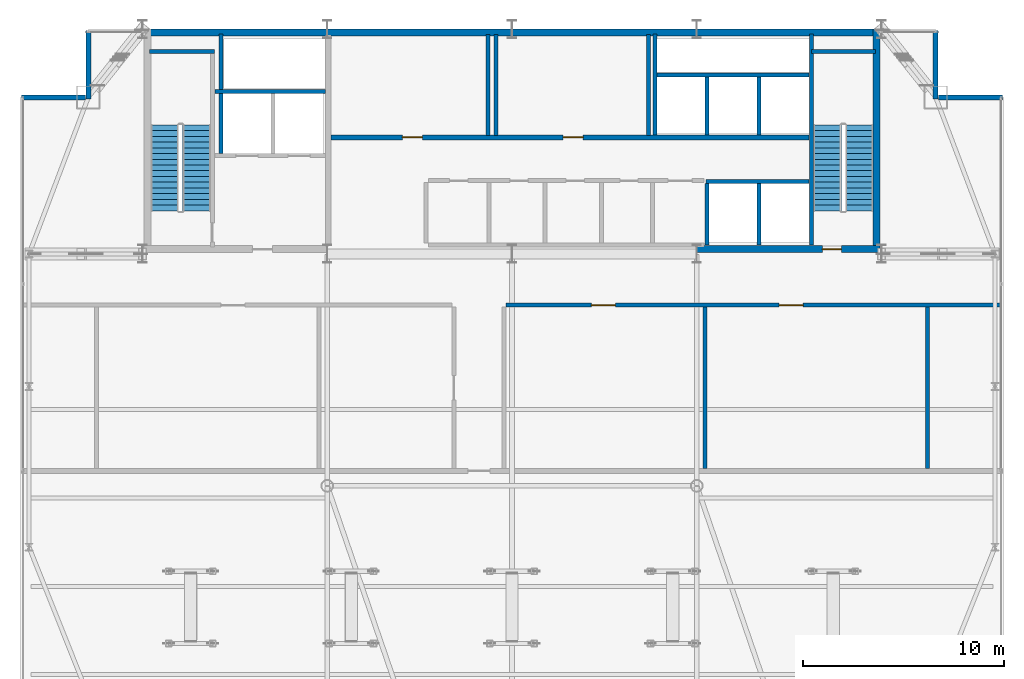
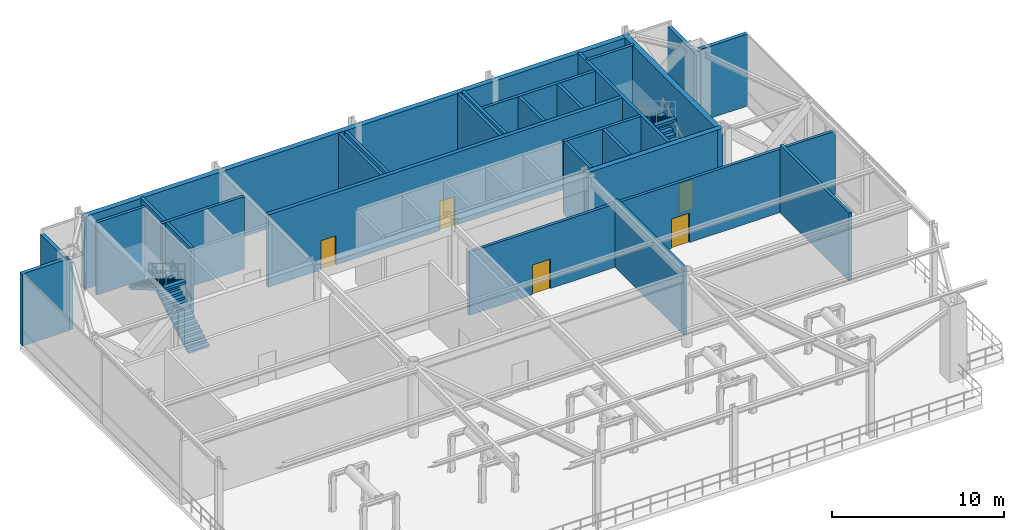
# One storey, part 19 of 21: 26 walls, 5 doors, 4 stair flights, 5 openings, 2 elements without a shape of their own.
"""IFC4 building model written with IfcOpenShell, lengths in metres."""

from ifc_helpers import new_model, si_unit, direction, frame, frame_2d, origin, place, context, subcontext, project, spatial, polyline, rectangle, outline, extrude, source, transform, mapped, material, layer, layer_set, type_object, type_shapes, element, fill, aggregate, save


model = new_model("IFC4")

# Units and contexts
model_context = context("Model", 3, precision=1e-05, world=origin(), true_north=direction((0.0, 1.0)))
body_context = subcontext(model_context, "Body", "Model", "MODEL_VIEW")
ifc_project = project(units=[si_unit("LENGTHUNIT", "METRE"), si_unit("AREAUNIT", "SQUARE_METRE"), si_unit("VOLUMEUNIT", "CUBIC_METRE"), si_unit("PLANEANGLEUNIT", "RADIAN"), si_unit("MASSUNIT", "GRAM", prefix="KILO")], contexts=[model_context])

# Site, building, storey
site_placement = place(None, origin())
site = spatial("IfcSite", under=ifc_project, at=site_placement, CompositionType="ELEMENT")
building_placement = place(site_placement, origin())
building = spatial("IfcBuilding", under=site, at=building_placement, Name="Varnel Quay Broadcast Tower", CompositionType="ELEMENT")
storey_placement = place(building_placement, frame((0.0, 0.0, 234.0)))
storey = spatial("IfcBuildingStorey", under=building, at=storey_placement, Name="L58", CompositionType="ELEMENT", Elevation=234.0)

# Walls
ifc_material_1 = material(Name="Concrete CSA A23.3 C50/60", Category="concrete")
ifc_layer_1 = layer(ifc_material_1, 0.199951171875, Name="Concrete CSA A23.3 C50/60")
ifc_layer_set_1 = layer_set([ifc_layer_1], Name="Concrete CSA A23.3 C50/60")
wall_type_1 = type_object("IfcWallType", Name="Wall_CoreShaftShear200", PredefinedType="SHEAR", material=ifc_layer_set_1)
wall_1_placement = place(storey_placement, frame((15.949951171875, 45.679931640625, 0.0), z_axis=(0.0, 0.0, 1.0), x_axis=(1.0, 0.0, 0.0)))
element("IfcWall", 1, at=wall_1_placement, inside=storey, type_object=wall_type_1, Name="L58 Stair 1 North Structural Wall", PredefinedType="SHEAR", context=body_context, shape_type="SweptSolid", body=[
    extrude(rectangle(XDim=3.22998046875, YDim=0.199951171875, at=frame_2d((1.614990234375, 0.0))), origin(), (0.0, 0.0, 1.0), 5.14990234375),
])
wall_2_placement = place(storey_placement, frame((19.199951171875, 43.699951171875, 0.0), z_axis=(0.0, 0.0, 1.0), x_axis=(1.0, 0.0, 0.0)))
element("IfcWall", 2, at=wall_2_placement, inside=storey, type_object=wall_type_1, Name="L58 Firefighter Lift Shaft Rear Wall", PredefinedType="SHEAR", context=body_context, shape_type="SweptSolid", body=[
    extrude(rectangle(XDim=5.52001953125, YDim=0.199951171875, at=frame_2d((2.760009765625, 0.0))), origin(), (0.0, 0.0, 1.0), 5.14990234375),
])
wall_3_placement = place(storey_placement, frame((19.5, 40.60009765625, 0.0), z_axis=(0.0, 0.0, 1.0), x_axis=(0.0, 1.0, 0.0)))
element("IfcWall", 3, at=wall_3_placement, inside=storey, type_object=wall_type_1, Name="L58 Firefighter Lift Shaft West Wall", PredefinedType="SHEAR", context=body_context, shape_type="SweptSolid", body=[
    extrude(rectangle(XDim=5.949951171875, YDim=0.199951171875, at=frame_2d((2.97509765625, 0.0))), origin(), (0.0, 0.0, 1.0), 5.14990234375),
])
wall_4_placement = place(storey_placement, frame((48.919921875, 36.050048828125, 0.0), z_axis=(0.0, 0.0, 1.0), x_axis=(0.0, 1.0, 0.0)))
element("IfcWall", 4, at=wall_4_placement, inside=storey, type_object=wall_type_1, Name="L58 Stair 2 West Structural Wall", PredefinedType="SHEAR", context=body_context, shape_type="SweptSolid", body=[
    extrude(rectangle(XDim=10.5, YDim=0.199951171875, at=frame_2d((5.25, 0.0))), origin(), (0.0, 0.0, 1.0), 5.14990234375),
])
wall_5_placement = place(storey_placement, frame((48.919921875, 45.679931640625, 0.0), z_axis=(0.0, 0.0, 1.0), x_axis=(1.0, 0.0, 0.0)))
element("IfcWall", 5, at=wall_5_placement, inside=storey, type_object=wall_type_1, Name="L58 Stair 2 North Structural Wall", PredefinedType="SHEAR", context=body_context, shape_type="SweptSolid", body=[
    extrude(rectangle(XDim=3.18017578125, YDim=0.199951171875, at=frame_2d((1.590087890625, 0.0))), origin(), (0.0, 0.0, 1.0), 5.14990234375),
])
wall_6_placement = place(storey_placement, frame((41.219970703125, 44.5, 0.0), z_axis=(0.0, 0.0, 1.0), x_axis=(1.0, 0.0, 0.0)))
element("IfcWall", 6, at=wall_6_placement, inside=storey, type_object=wall_type_1, Name="L58 High-Rise Lift Shaft Rear Wall", PredefinedType="SHEAR", context=body_context, shape_type="SweptSolid", body=[
    extrude(rectangle(XDim=7.580078125, YDim=0.199951171875, at=frame_2d((3.7900390625, 0.0))), origin(), (0.0, 0.0, 1.0), 5.14990234375),
])
wall_7_placement = place(storey_placement, frame((41.1201171875, 41.530029296875, 0.0), z_axis=(0.0, 0.0, 1.0), x_axis=(0.0, 1.0, 0.0)))
element("IfcWall", 7, at=wall_7_placement, inside=storey, type_object=wall_type_1, Name="L58 High-Rise Lift Shaft Divider 1", PredefinedType="SHEAR", context=body_context, shape_type="SweptSolid", body=[
    extrude(rectangle(XDim=5.02001953125, YDim=0.199951171875, at=frame_2d((2.510009765625, 0.0))), origin(), (0.0, 0.0, 1.0), 5.14990234375),
])
for number, where, z_axis, x_axis, name in (
    (8, (43.699951171875, 41.530029296875, 0.0), (0.0, 0.0, 1.0), (0.0, 1.0, 0.0), "L58 High-Rise Lift Shaft Divider 2"),
    (9, (46.300048828125, 41.530029296875, 0.0), (0.0, 0.0, 1.0), (0.0, 1.0, 0.0), "L58 High-Rise Lift Shaft Divider 3"),
):
    element("IfcWall", number, at=place(storey_placement, frame(where, z_axis=z_axis, x_axis=x_axis)), inside=storey, type_object=wall_type_1, Name=name, PredefinedType="SHEAR", context=body_context, shape_type="SweptSolid", body=[
        extrude(rectangle(XDim=2.869873046875, YDim=0.199951171875, at=frame_2d((1.43505859375, 0.0))), origin(), (0.0, 0.0, 1.0), 5.14990234375),
    ])
for number, where, z_axis, x_axis, name in (
    (10, (43.699951171875, 36.050048828125, 0.0), (0.0, 0.0, 1.0), (0.0, 1.0, 0.0), "L58 Express Lift Shaft West Wall"),
    (11, (46.300048828125, 36.050048828125, 0.0), (0.0, 0.0, 1.0), (0.0, 1.0, 0.0), "L58 Express Lift Shaft Divider"),
):
    element("IfcWall", number, at=place(storey_placement, frame(where, z_axis=z_axis, x_axis=x_axis)), inside=storey, type_object=wall_type_1, Name=name, PredefinedType="SHEAR", context=body_context, shape_type="SweptSolid", body=[
        extrude(rectangle(XDim=3.050048828125, YDim=0.199951171875, at=frame_2d((1.52490234375, 0.0))), origin(), (0.0, 0.0, 1.0), 5.14990234375),
    ])
wall_8_placement = place(storey_placement, frame((43.64990234375, 39.199951171875, 0.0), z_axis=(0.0, 0.0, 1.0), x_axis=(1.0, 0.0, 0.0)))
element("IfcWall", 12, at=wall_8_placement, inside=storey, type_object=wall_type_1, Name="L58 Express Lift Shaft North Front Wall", PredefinedType="SHEAR", context=body_context, shape_type="SweptSolid", body=[
    extrude(rectangle(XDim=5.150146484375, YDim=0.199951171875, at=frame_2d((2.5751953125, 0.0))), origin(), (0.0, 0.0, 1.0), 5.14990234375),
])

# Wall, openings, doors
ifc_layer_2 = layer(ifc_material_1, 0.25, Name="Concrete CSA A23.3 C50/60")
ifc_layer_set_2 = layer_set([ifc_layer_2], Name="Concrete CSA A23.3 C50/60")
wall_type_2 = type_object("IfcWallType", Name="Wall_CoreShaftShear250", PredefinedType="SHEAR", material=ifc_layer_set_2)
wall_9_placement = place(storey_placement, frame((24.97998046875, 41.39990234375, 0.0), z_axis=(0.0, 0.0, 1.0), x_axis=(1.0, 0.0, 0.0)))
wall_9 = element("IfcWall", 13, at=wall_9_placement, inside=storey, type_object=wall_type_2, Name="L58 North Lift Bank & Reclaimed Suite Wall", PredefinedType="SHEAR", context=body_context, shape_type="SweptSolid", body=[
    extrude(rectangle(XDim=23.820068359375, YDim=0.25, at=frame_2d((11.91015625, 0.0))), origin(), (0.0, 0.0, 1.0), 5.14990234375),
])
opening_1_placement = place(wall_9_placement, frame((3.56005859375, 0.0, 0.0)))
opening_1 = element("IfcOpeningElement", 14, at=opening_1_placement, cuts=wall_9, Name="Opening D-L58-RECA1", PredefinedType="OPENING", context=body_context, shape_type="SweptSolid", body=[
    extrude(rectangle(XDim=1.0, YDim=2.080078125, at=frame_2d((0.5, 1.0400390625))), frame((0.0, 0.135009765625, 0.0), z_axis=(0.0, -1.0, 0.0), x_axis=(1.0, 0.0, 0.0)), (0.0, 0.0, 1.0), 0.27001953125),
])
opening_2_placement = place(wall_9_placement, frame((11.56005859375, 0.0, 0.0)))
opening_2 = element("IfcOpeningElement", 15, at=opening_2_placement, cuts=wall_9, Name="Opening D-L58-RECB1", PredefinedType="OPENING", context=body_context, shape_type="SweptSolid", body=[
    extrude(rectangle(XDim=1.0, YDim=2.080078125, at=frame_2d((0.5, 1.0400390625))), frame((0.0, 0.135009765625, 0.0), z_axis=(0.0, -1.0, 0.0), x_axis=(1.0, 0.0, 0.0)), (0.0, 0.0, 1.0), 0.27001953125),
])
ifc_material_2 = material(Name="Insulated Fire-Rated Hollow Steel Door", Category="steel")
door_type_1 = type_object("IfcDoorType", Name="Door_FireLobby1000", OperationType="NOTDEFINED", PredefinedType="DOOR", material=ifc_material_2)
shared_shape_1 = source(origin(), body_context, "Body", "SweptSolid", [
    extrude(rectangle(XDim=1.0, YDim=2.080078125, at=frame_2d((0.5, 1.0400390625))), frame((0.0, 0.02490234375, 0.0), z_axis=(0.0, -1.0, 0.0), x_axis=(1.0, 0.0, 0.0)), (0.0, 0.0, 1.0), 0.050048828125),
])
type_shapes(door_type_1, [shared_shape_1])
door_1_placement = place(opening_1_placement, origin())
door_1 = element("IfcDoor", 16, at=door_1_placement, inside=storey, type_object=door_type_1, Name="L58 L58 Mechanical Exhaust Plenum A Door", OperationType="SINGLE_SWING_LEFT", OverallHeight=2.080078125, OverallWidth=1.0, PredefinedType="DOOR", context=body_context, shape_type="MappedRepresentation", body=[
    mapped(shared_shape_1, transform((0.0, 0.0, 0.0), x_axis=(1.0, 0.0, 0.0), y_axis=(0.0, 1.0, 0.0), z_axis=(0.0, 0.0, 1.0), scale=1.0)),
])
fill(opening_1, door_1)
door_2_placement = place(opening_2_placement, origin())
door_2 = element("IfcDoor", 17, at=door_2_placement, inside=storey, type_object=door_type_1, Name="L58 L58 Mechanical Supply Plenum B Door", OperationType="SINGLE_SWING_RIGHT", OverallHeight=2.080078125, OverallWidth=1.0, PredefinedType="DOOR", context=body_context, shape_type="MappedRepresentation", body=[
    mapped(shared_shape_1, transform((0.0, 0.0, 0.0), x_axis=(1.0, 0.0, 0.0), y_axis=(0.0, 1.0, 0.0), z_axis=(0.0, 0.0, 1.0), scale=1.0)),
])
fill(opening_2, door_2)

# Walls
ifc_layer_3 = layer(ifc_material_1, 0.35009765625, Name="Concrete CSA A23.3 C50/60")
ifc_layer_set_3 = layer_set([ifc_layer_3], Name="Concrete CSA A23.3 C50/60")
wall_type_3 = type_object("IfcWallType", Name="Wall_CoreShearExt350", PredefinedType="SHEAR", material=ifc_layer_set_3)
wall_10_placement = place(storey_placement, frame((15.60009765625, 46.625, 0.0), z_axis=(0.0, 0.0, 1.0), x_axis=(1.0, 0.0, 0.0)))
element("IfcWall", 18, at=wall_10_placement, inside=storey, type_object=wall_type_3, Name="L58 North Core Shear Wall", PredefinedType="SHEAR", context=body_context, shape_type="SweptSolid", body=[
    extrude(rectangle(XDim=36.7998046875, YDim=0.35009765625, at=frame_2d((18.39990234375, 0.0))), origin(), (0.0, 0.0, 1.0), 5.14990234375),
])
ifc_layer_4 = layer(ifc_material_1, 0.35009765625, Name="Concrete CSA A23.3 C50/60")
ifc_layer_set_4 = layer_set([ifc_layer_4], Name="Concrete CSA A23.3 C50/60")
wall_type_4 = type_object("IfcWallType", Name="Wall_CoreShearInt350", PredefinedType="SHEAR", material=ifc_layer_set_4)
wall_11_placement = place(storey_placement, frame((52.155029296875, 35.669921875, 0.0), z_axis=(0.0, 0.0, 1.0), x_axis=(0.0, 1.0, 0.0)))
element("IfcWall", 19, at=wall_11_placement, inside=storey, type_object=wall_type_4, Name="L58 East Core Shear Wall", PredefinedType="SHEAR", context=body_context, shape_type="SweptSolid", body=[
    extrude(rectangle(XDim=11.130126953125, YDim=0.35009765625, at=frame_2d((5.56494140625, 0.0))), origin(), (0.0, 0.0, 1.0), 5.14990234375),
])

# Wall, opening, door
wall_12_placement = place(storey_placement, frame((43.199951171875, 35.844970703125, 0.0), z_axis=(0.0, 0.0, 1.0), x_axis=(1.0, 0.0, 0.0)))
wall_12 = element("IfcWall", 20, at=wall_12_placement, inside=storey, type_object=wall_type_4, Name="L58 South-East Core Shear Wall", PredefinedType="SHEAR", context=body_context, shape_type="SweptSolid", body=[
    extrude(rectangle(XDim=9.130126953125, YDim=0.35009765625, at=frame_2d((4.56494140625, 0.0))), origin(), (0.0, 0.0, 1.0), 5.14990234375),
])
opening_3_placement = place(wall_12_placement, frame((6.25, 0.0, 0.0)))
opening_3 = element("IfcOpeningElement", 21, at=opening_3_placement, cuts=wall_12, Name="Opening D-L58-S2", PredefinedType="OPENING", context=body_context, shape_type="SweptSolid", body=[
    extrude(rectangle(XDim=0.949951171875, YDim=2.10009765625, at=frame_2d((0.47509765625, 1.050048828125))), frame((0.0, 0.18505859375, 0.0), z_axis=(0.0, -1.0, 0.0), x_axis=(1.0, 0.0, 0.0)), (0.0, 0.0, 1.0), 0.3701171875),
])
door_type_2 = type_object("IfcDoorType", Name="Door_FireStair950", OperationType="NOTDEFINED", PredefinedType="DOOR", material=ifc_material_2)
shared_shape_2 = source(origin(), body_context, "Body", "SweptSolid", [
    extrude(rectangle(XDim=0.949951171875, YDim=2.10009765625, at=frame_2d((0.47509765625, 1.050048828125))), frame((0.0, 0.02490234375, 0.0), z_axis=(0.0, -1.0, 0.0), x_axis=(1.0, 0.0, 0.0)), (0.0, 0.0, 1.0), 0.050048828125),
])
type_shapes(door_type_2, [shared_shape_2])
door_3_placement = place(opening_3_placement, origin())
door_3 = element("IfcDoor", 22, at=door_3_placement, inside=storey, type_object=door_type_2, Name="L58 Stair 2 Fire Door", OperationType="SINGLE_SWING_RIGHT", OverallHeight=2.10009765625, OverallWidth=0.949951171875, PredefinedType="DOOR", context=body_context, shape_type="MappedRepresentation", body=[
    mapped(shared_shape_2, transform((0.0, 0.0, 0.0), x_axis=(1.0, 0.0, 0.0), y_axis=(0.0, 1.0, 0.0), z_axis=(0.0, 0.0, 1.0), scale=1.0)),
])
fill(opening_3, door_3)

# Walls
ifc_material_3 = material(Name="Precast Architectural Concrete C40/50", Category="concrete")
ifc_layer_5 = layer(ifc_material_3, 0.25, Name="Precast Architectural Concrete C40/50")
ifc_layer_set_5 = layer_set([ifc_layer_5], Name="Precast Architectural Concrete C40/50")
wall_type_5 = type_object("IfcWallType", Name="Wall_ExtTerrace250", PredefinedType="SOLIDWALL", material=ifc_layer_set_5)
wall_13_placement = place(storey_placement, frame((9.580078125, 43.39990234375, 0.0), z_axis=(0.0, 0.0, 1.0), x_axis=(1.0, 0.0, 0.0)))
element("IfcWall", 23, at=wall_13_placement, inside=storey, type_object=wall_type_5, Name="L58 North Corner Pier NNW1", PredefinedType="SOLIDWALL", context=body_context, shape_type="SweptSolid", body=[
    extrude(rectangle(XDim=3.18994140625, YDim=0.25, at=frame_2d((1.594970703125, 0.0))), origin(), (0.0, 0.0, 1.0), 5.1298828125),
])
wall_14_placement = place(storey_placement, frame((12.89990234375, 43.320068359375, 0.0), z_axis=(0.0, 0.0, 1.0), x_axis=(0.0, 1.0, 0.0)))
element("IfcWall", 24, at=wall_14_placement, inside=storey, type_object=wall_type_5, Name="L58 North Corner Pier NNW2", PredefinedType="SOLIDWALL", context=body_context, shape_type="SweptSolid", body=[
    extrude(rectangle(XDim=3.39990234375, YDim=0.25, at=frame_2d((1.699951171875, 0.0))), origin(), (0.0, 0.0, 1.0), 4.77099609375),
])
wall_15_placement = place(storey_placement, frame((55.22998046875, 43.39990234375, 0.0), z_axis=(0.0, 0.0, 1.0), x_axis=(1.0, 0.0, 0.0)))
element("IfcWall", 25, at=wall_15_placement, inside=storey, type_object=wall_type_5, Name="L58 North Corner Pier NNE1", PredefinedType="SOLIDWALL", context=body_context, shape_type="SweptSolid", body=[
    extrude(rectangle(XDim=3.18994140625, YDim=0.25, at=frame_2d((1.594970703125, 0.0))), origin(), (0.0, 0.0, 1.0), 5.1298828125),
])
wall_16_placement = place(storey_placement, frame((55.10009765625, 43.320068359375, 0.0), z_axis=(0.0, 0.0, 1.0), x_axis=(0.0, 1.0, 0.0)))
element("IfcWall", 26, at=wall_16_placement, inside=storey, type_object=wall_type_5, Name="L58 North Corner Pier NNE2", PredefinedType="SOLIDWALL", context=body_context, shape_type="SweptSolid", body=[
    extrude(rectangle(XDim=3.39990234375, YDim=0.25, at=frame_2d((1.699951171875, 0.0))), origin(), (0.0, 0.0, 1.0), 4.77099609375),
])
ifc_material_4 = material(Name="Concrete Blockwork Fire Enclosure C40/50", Category="masonry")
ifc_layer_6 = layer(ifc_material_4, 0.199951171875, Name="Concrete Blockwork Fire Enclosure C40/50")
ifc_layer_set_6 = layer_set([ifc_layer_6], Name="Concrete Blockwork Fire Enclosure C40/50")
wall_type_6 = type_object("IfcWallType", Name="Wall_FireShaft200", PredefinedType="SOLIDWALL", material=ifc_layer_set_6)
wall_17_placement = place(storey_placement, frame((54.699951171875, 24.925048828125, 0.0), z_axis=(0.0, 0.0, 1.0), x_axis=(0.0, 1.0, 0.0)))
element("IfcWall", 27, at=wall_17_placement, inside=storey, type_object=wall_type_6, Name="L58 L58 East Protected Refuge Area Partition 11", PredefinedType="SOLIDWALL", context=body_context, shape_type="SweptSolid", body=[
    extrude(rectangle(XDim=8.02490234375, YDim=0.199951171875, at=frame_2d((4.012451171875, 0.0))), origin(), (0.0, 0.0, 1.0), 4.822021484375),
])

# Wall, openings, doors
wall_18_placement = place(storey_placement, frame((33.699951171875, 33.050048828125, 0.0), z_axis=(0.0, 0.0, 1.0), x_axis=(1.0, 0.0, 0.0)))
wall_18 = element("IfcWall", 28, at=wall_18_placement, inside=storey, type_object=wall_type_6, Name="L58 L58 East Protected Refuge Area Partition 12", PredefinedType="SOLIDWALL", context=body_context, shape_type="SweptSolid", body=[
    extrude(rectangle(XDim=24.6201171875, YDim=0.199951171875, at=frame_2d((12.31005859375, 0.0))), origin(), (0.0, 0.0, 1.0), 4.508056640625),
])
opening_4_placement = place(wall_18_placement, frame((13.60009765625, 0.0, 0.0)))
opening_4 = element("IfcOpeningElement", 29, at=opening_4_placement, cuts=wall_18, Name="Opening D-L58-07", PredefinedType="OPENING", context=body_context, shape_type="SweptSolid", body=[
    extrude(rectangle(XDim=1.199951171875, YDim=2.10009765625, at=frame_2d((0.60009765625, 1.050048828125))), frame((0.0, 0.10986328125, 0.0), z_axis=(0.0, -1.0, 0.0), x_axis=(1.0, 0.0, 0.0)), (0.0, 0.0, 1.0), 0.219970703125),
])
opening_5_placement = place(wall_18_placement, frame((4.25, 0.0, 0.0)))
opening_5 = element("IfcOpeningElement", 30, at=opening_5_placement, cuts=wall_18, Name="Opening D-L58-08", PredefinedType="OPENING", context=body_context, shape_type="SweptSolid", body=[
    extrude(rectangle(XDim=1.199951171875, YDim=2.10009765625, at=frame_2d((0.60009765625, 1.050048828125))), frame((0.0, 0.10986328125, 0.0), z_axis=(0.0, -1.0, 0.0), x_axis=(1.0, 0.0, 0.0)), (0.0, 0.0, 1.0), 0.219970703125),
])
door_type_3 = type_object("IfcDoorType", Name="Door_Plant1200", OperationType="NOTDEFINED", PredefinedType="DOOR", material=ifc_material_2)
shared_shape_3 = source(origin(), body_context, "Body", "SweptSolid", [
    extrude(rectangle(XDim=1.199951171875, YDim=2.10009765625, at=frame_2d((0.60009765625, 1.050048828125))), frame((0.0, 0.02490234375, 0.0), z_axis=(0.0, -1.0, 0.0), x_axis=(1.0, 0.0, 0.0)), (0.0, 0.0, 1.0), 0.050048828125),
])
type_shapes(door_type_3, [shared_shape_3])
door_4_placement = place(opening_4_placement, origin())
door_4 = element("IfcDoor", 31, at=door_4_placement, inside=storey, type_object=door_type_3, Name="L58 L58 East Protected Refuge Area Door D-L58-07", OperationType="SINGLE_SWING_LEFT", OverallHeight=2.10009765625, OverallWidth=1.199951171875, PredefinedType="DOOR", context=body_context, shape_type="MappedRepresentation", body=[
    mapped(shared_shape_3, transform((0.0, 0.0, 0.0), x_axis=(1.0, 0.0, 0.0), y_axis=(0.0, 1.0, 0.0), z_axis=(0.0, 0.0, 1.0), scale=1.0)),
])
fill(opening_4, door_4)
door_5_placement = place(opening_5_placement, origin())
door_5 = element("IfcDoor", 32, at=door_5_placement, inside=storey, type_object=door_type_3, Name="L58 Wind-Turbine Power Conditioning Plant Room Door D-L58-08", OperationType="SINGLE_SWING_RIGHT", OverallHeight=2.10009765625, OverallWidth=1.199951171875, PredefinedType="DOOR", context=body_context, shape_type="MappedRepresentation", body=[
    mapped(shared_shape_3, transform((0.0, 0.0, 0.0), x_axis=(1.0, 0.0, 0.0), y_axis=(0.0, 1.0, 0.0), z_axis=(0.0, 0.0, 1.0), scale=1.0)),
])
fill(opening_5, door_5)

# Walls
wall_19_placement = place(storey_placement, frame((43.60009765625, 24.925048828125, 0.0), z_axis=(0.0, 0.0, 1.0), x_axis=(0.0, 1.0, 0.0)))
element("IfcWall", 33, at=wall_19_placement, inside=storey, type_object=wall_type_6, Name="L58 L58 East Protected Refuge Area Partition 13", PredefinedType="SOLIDWALL", context=body_context, shape_type="SweptSolid", body=[
    extrude(rectangle(XDim=8.02490234375, YDim=0.199951171875, at=frame_2d((4.012451171875, 0.0))), origin(), (0.0, 0.0, 1.0), 4.822021484375),
])
for number, where, z_axis, x_axis, name in (
    (34, (32.800048828125, 41.5, 0.0), (0.0, 0.0, 1.0), (0.0, 1.0, 0.0), "L58 L58 Mechanical Exhaust Plenum A Partition 16"),
    (35, (40.800048828125, 41.5, 0.0), (0.0, 0.0, 1.0), (0.0, 1.0, 0.0), "L58 L58 Mechanical Supply Plenum B Partition 17"),
    (36, (33.199951171875, 41.5, 0.0), (0.0, 0.0, 1.0), (0.0, 1.0, 0.0), "L58 L58 Mechanical Supply Plenum B Partition 18"),
):
    element("IfcWall", number, at=place(storey_placement, frame(where, z_axis=z_axis, x_axis=x_axis)), inside=storey, type_object=wall_type_6, Name=name, PredefinedType="SOLIDWALL", context=body_context, shape_type="SweptSolid", body=[
        extrude(rectangle(XDim=5.02001953125, YDim=0.199951171875, at=frame_2d((2.510009765625, 0.0))), origin(), (0.0, 0.0, 1.0), 5.1298828125),
    ])

# Stair, stair flights
ifc_material_5 = material(Name="Precast Structural Concrete C40/50", Category="concrete")
stair_type_1 = type_object("IfcStairType", Name="Stair_ST-01", PredefinedType="HALF_TURN_STAIR", material=ifc_material_5)
stair_1_placement = place(storey_placement, origin())
stair_1 = element("IfcStair", 37, at=stair_1_placement, inside=storey, type_object=stair_type_1, Name="L58 West Core Exit Stair 1", PredefinedType="HALF_TURN_STAIR")
stair_flight_type_1 = type_object("IfcStairFlightType", Name="Flight_ST-01", PredefinedType="STRAIGHT", material=ifc_material_5)
stair_flight_1_placement = place(storey_placement, frame((18.300048828125, 37.75, 0.0), z_axis=(0.0, 0.0, 1.0), x_axis=(0.0, 1.0, 0.0)))
stair_flight_1 = element("IfcStairFlight", 38, at=stair_flight_1_placement, type_object=stair_flight_type_1, Name="ST-01 flight 1", NumberOfRisers=16, NumberOfTreads=15, PredefinedType="STRAIGHT", RiserHeight=0.16875, TreadLength=0.285, context=body_context, shape_type="SweptSolid", body=[
    extrude(outline(polyline([(0.0, 0.0), (0.0, 0.168701171875), (0.284912109375, 0.168701171875), (0.284912109375, 0.33740234375), (0.570068359375, 0.33740234375), (0.570068359375, 0.50634765625), (0.85498046875, 0.50634765625), (0.85498046875, 0.675048828125), (1.139892578125, 0.675048828125), (1.139892578125, 0.84375), (1.425048828125, 0.84375), (1.425048828125, 1.012451171875), (1.7099609375, 1.012451171875), (1.7099609375, 1.18115234375), (1.9951171875, 1.18115234375), (1.9951171875, 1.35009765625), (2.280029296875, 1.35009765625), (2.280029296875, 1.518798828125), (2.56494140625, 1.518798828125), (2.56494140625, 1.6875), (2.85009765625, 1.6875), (2.85009765625, 1.856201171875), (3.135009765625, 1.856201171875), (3.135009765625, 2.02490234375), (3.419921875, 2.02490234375), (3.419921875, 2.19384765625), (3.705078125, 2.19384765625), (3.705078125, 2.362548828125), (3.989990234375, 2.362548828125), (3.989990234375, 2.53125), (4.27490234375, 2.53125), (4.27490234375, 2.699951171875), (4.27490234375, 2.35693359375), (0.294189453125, 0.0), (0.0, 0.0)])), frame((0.0, 0.699951171875, 0.0), z_axis=(0.0, -1.0, 0.0), x_axis=(1.0, 0.0, 0.0)), (0.0, 0.0, 1.0), 1.39990234375),
])
stair_flight_2_placement = place(storey_placement, frame((16.699951171875, 42.02490234375, 2.699951171875), z_axis=(0.0, 0.0, 1.0), x_axis=(0.0, -1.0, 0.0)))
stair_flight_2 = element("IfcStairFlight", 39, at=stair_flight_2_placement, type_object=stair_flight_type_1, Name="ST-01 flight 2", NumberOfRisers=16, NumberOfTreads=15, PredefinedType="STRAIGHT", RiserHeight=0.16875, TreadLength=0.285, context=body_context, shape_type="SweptSolid", body=[
    extrude(outline(polyline([(0.0, 0.0), (0.0, 0.168701171875), (0.284912109375, 0.168701171875), (0.284912109375, 0.33740234375), (0.570068359375, 0.33740234375), (0.570068359375, 0.50634765625), (0.85498046875, 0.50634765625), (0.85498046875, 0.675048828125), (1.139892578125, 0.675048828125), (1.139892578125, 0.84375), (1.425048828125, 0.84375), (1.425048828125, 1.012451171875), (1.7099609375, 1.012451171875), (1.7099609375, 1.18115234375), (1.9951171875, 1.18115234375), (1.9951171875, 1.35009765625), (2.280029296875, 1.35009765625), (2.280029296875, 1.518798828125), (2.56494140625, 1.518798828125), (2.56494140625, 1.6875), (2.85009765625, 1.6875), (2.85009765625, 1.856201171875), (3.135009765625, 1.856201171875), (3.135009765625, 2.02490234375), (3.419921875, 2.02490234375), (3.419921875, 2.19384765625), (3.705078125, 2.19384765625), (3.705078125, 2.362548828125), (3.989990234375, 2.362548828125), (3.989990234375, 2.53125), (4.27490234375, 2.53125), (4.27490234375, 2.699951171875), (4.27490234375, 2.35693359375), (0.294189453125, 0.0), (0.0, 0.0)])), frame((0.0, 0.699951171875, 0.0), z_axis=(0.0, -1.0, 0.0), x_axis=(1.0, 0.0, 0.0)), (0.0, 0.0, 1.0), 1.39990234375),
])
aggregate(stair_1, [stair_flight_1, stair_flight_2])

stair_type_2 = type_object("IfcStairType", Name="Stair_ST-02", PredefinedType="HALF_TURN_STAIR", material=ifc_material_5)
stair_2_placement = place(storey_placement, origin())
stair_2 = element("IfcStair", 40, at=stair_2_placement, inside=storey, type_object=stair_type_2, Name="L58 East Core Exit Stair 2", PredefinedType="HALF_TURN_STAIR")
stair_flight_type_2 = type_object("IfcStairFlightType", Name="Flight_ST-02", PredefinedType="STRAIGHT", material=ifc_material_5)
stair_flight_3_placement = place(storey_placement, frame((51.300048828125, 37.75, 0.0), z_axis=(0.0, 0.0, 1.0), x_axis=(0.0, 1.0, 0.0)))
stair_flight_3 = element("IfcStairFlight", 41, at=stair_flight_3_placement, type_object=stair_flight_type_2, Name="ST-02 flight 1", NumberOfRisers=16, NumberOfTreads=15, PredefinedType="STRAIGHT", RiserHeight=0.16875, TreadLength=0.285, context=body_context, shape_type="SweptSolid", body=[
    extrude(outline(polyline([(0.0, 0.0), (0.0, 0.168701171875), (0.284912109375, 0.168701171875), (0.284912109375, 0.33740234375), (0.570068359375, 0.33740234375), (0.570068359375, 0.50634765625), (0.85498046875, 0.50634765625), (0.85498046875, 0.675048828125), (1.139892578125, 0.675048828125), (1.139892578125, 0.84375), (1.425048828125, 0.84375), (1.425048828125, 1.012451171875), (1.7099609375, 1.012451171875), (1.7099609375, 1.18115234375), (1.9951171875, 1.18115234375), (1.9951171875, 1.35009765625), (2.280029296875, 1.35009765625), (2.280029296875, 1.518798828125), (2.56494140625, 1.518798828125), (2.56494140625, 1.6875), (2.85009765625, 1.6875), (2.85009765625, 1.856201171875), (3.135009765625, 1.856201171875), (3.135009765625, 2.02490234375), (3.419921875, 2.02490234375), (3.419921875, 2.19384765625), (3.705078125, 2.19384765625), (3.705078125, 2.362548828125), (3.989990234375, 2.362548828125), (3.989990234375, 2.53125), (4.27490234375, 2.53125), (4.27490234375, 2.699951171875), (4.27490234375, 2.35693359375), (0.294189453125, 0.0), (0.0, 0.0)])), frame((0.0, 0.699951171875, 0.0), z_axis=(0.0, -1.0, 0.0), x_axis=(1.0, 0.0, 0.0)), (0.0, 0.0, 1.0), 1.39990234375),
])
stair_flight_4_placement = place(storey_placement, frame((49.699951171875, 42.02490234375, 2.699951171875), z_axis=(0.0, 0.0, 1.0), x_axis=(0.0, -1.0, 0.0)))
stair_flight_4 = element("IfcStairFlight", 42, at=stair_flight_4_placement, type_object=stair_flight_type_2, Name="ST-02 flight 2", NumberOfRisers=16, NumberOfTreads=15, PredefinedType="STRAIGHT", RiserHeight=0.16875, TreadLength=0.285, context=body_context, shape_type="SweptSolid", body=[
    extrude(outline(polyline([(0.0, 0.0), (0.0, 0.168701171875), (0.284912109375, 0.168701171875), (0.284912109375, 0.33740234375), (0.570068359375, 0.33740234375), (0.570068359375, 0.50634765625), (0.85498046875, 0.50634765625), (0.85498046875, 0.675048828125), (1.139892578125, 0.675048828125), (1.139892578125, 0.84375), (1.425048828125, 0.84375), (1.425048828125, 1.012451171875), (1.7099609375, 1.012451171875), (1.7099609375, 1.18115234375), (1.9951171875, 1.18115234375), (1.9951171875, 1.35009765625), (2.280029296875, 1.35009765625), (2.280029296875, 1.518798828125), (2.56494140625, 1.518798828125), (2.56494140625, 1.6875), (2.85009765625, 1.6875), (2.85009765625, 1.856201171875), (3.135009765625, 1.856201171875), (3.135009765625, 2.02490234375), (3.419921875, 2.02490234375), (3.419921875, 2.19384765625), (3.705078125, 2.19384765625), (3.705078125, 2.362548828125), (3.989990234375, 2.362548828125), (3.989990234375, 2.53125), (4.27490234375, 2.53125), (4.27490234375, 2.699951171875), (4.27490234375, 2.35693359375), (0.294189453125, 0.0), (0.0, 0.0)])), frame((0.0, 0.699951171875, 0.0), z_axis=(0.0, -1.0, 0.0), x_axis=(1.0, 0.0, 0.0)), (0.0, 0.0, 1.0), 1.39990234375),
])
aggregate(stair_2, [stair_flight_3, stair_flight_4])

save(model, "model.ifc")
